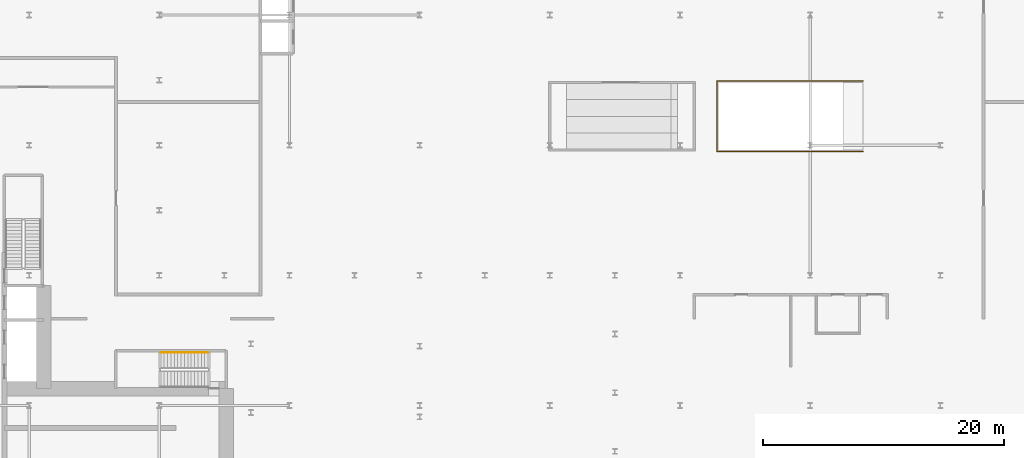
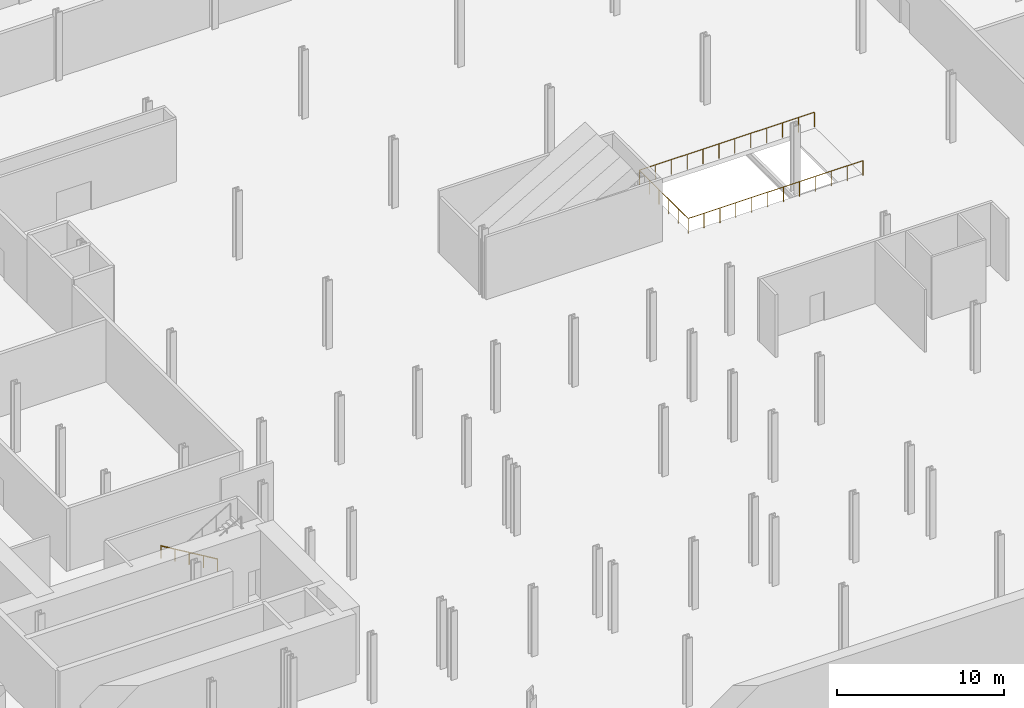
# One storey, part 18 of 19: 2 railings.
"""IFC4 building model written with IfcOpenShell, lengths in metres."""

from ifc_helpers import new_model, si_unit, direction, frame, origin, origin_2d, place, context, subcontext, project, spatial, circle, extrude, material, type_object, element, save


model = new_model("IFC4")

# Units and contexts
model_context = context("Model", 3, precision=1e-05, world=origin(), true_north=direction((0.0, 1.0)))
body_context = subcontext(model_context, "Body", "Model", "MODEL_VIEW")
ifc_project = project(units=[si_unit("LENGTHUNIT", "METRE"), si_unit("AREAUNIT", "SQUARE_METRE"), si_unit("VOLUMEUNIT", "CUBIC_METRE"), si_unit("PLANEANGLEUNIT", "RADIAN"), si_unit("MASSUNIT", "GRAM", prefix="KILO")], contexts=[model_context])

# Site, building, storey
site_placement = place(None, origin())
site = spatial("IfcSite", under=ifc_project, at=site_placement, CompositionType="ELEMENT")
building_placement = place(site_placement, origin())
building = spatial("IfcBuilding", under=site, at=building_placement, Name="Kheshtan School and Residences Tower", CompositionType="ELEMENT")
storey_placement = place(building_placement, frame((0.0, 0.0, -10.0)))
storey = spatial("IfcBuildingStorey", under=building, at=storey_placement, Name="B2", CompositionType="ELEMENT", Elevation=-10.0)

# Railings
ifc_material_1 = material(Name="Stainless steel balustrade", Category="steel")
railing_type_1 = type_object("IfcRailingType", Name="Stair guard 1100", PredefinedType="GUARDRAIL", material=ifc_material_1)
railing_1_placement = place(storey_placement, frame((106.0, 55.8798828125, 0.0)))
element("IfcRailing", 1, at=railing_1_placement, inside=storey, type_object=railing_type_1, Name="Guard B2 1", PredefinedType="GUARDRAIL", context=body_context, shape_type="SweptSolid", body=[
    extrude(circle(Radius=0.02392578125, at=origin_2d()), frame((0.0, 0.0, 1.076171875), z_axis=(-1.0, 0.0, 0.0), x_axis=(0.0, -1.0, 0.0)), (0.0, 0.0, 1.0), 12.1201171875),
    extrude(circle(Radius=0.02392578125, at=origin_2d()), frame((-12.1201171875, 0.0, 1.076171875), z_axis=(0.0, 1.0, 0.0), x_axis=(-1.0, 0.0, 0.0)), (0.0, 0.0, 1.0), 5.840087890625),
    extrude(circle(Radius=0.02392578125, at=origin_2d()), frame((-12.1201171875, 5.840087890625, 1.076171875), z_axis=(1.0, 0.0, 0.0), x_axis=(0.0, 1.0, 0.0)), (0.0, 0.0, 1.0), 12.1201171875),
    extrude(circle(Radius=0.02099609375, at=origin_2d()), origin(), (0.0, 0.0, 1.0), 1.052001953125),
    extrude(circle(Radius=0.02099609375, at=origin_2d()), frame((-1.101806640625, 0.0, 0.0)), (0.0, 0.0, 1.0), 1.052001953125),
    extrude(circle(Radius=0.02099609375, at=origin_2d()), frame((-2.20361328125, 0.0, 0.0)), (0.0, 0.0, 1.0), 1.052001953125),
    extrude(circle(Radius=0.02099609375, at=origin_2d()), frame((-3.305419921875, 0.0, 0.0)), (0.0, 0.0, 1.0), 1.052001953125),
    extrude(circle(Radius=0.02099609375, at=origin_2d()), frame((-4.4072265625, 0.0, 0.0)), (0.0, 0.0, 1.0), 1.052001953125),
    extrude(circle(Radius=0.02099609375, at=origin_2d()), frame((-5.509033203125, 0.0, 0.0)), (0.0, 0.0, 1.0), 1.052001953125),
    extrude(circle(Radius=0.02099609375, at=origin_2d()), frame((-6.611083984375, 0.0, 0.0)), (0.0, 0.0, 1.0), 1.052001953125),
    extrude(circle(Radius=0.02099609375, at=origin_2d()), frame((-7.712890625, 0.0, 0.0)), (0.0, 0.0, 1.0), 1.052001953125),
    extrude(circle(Radius=0.02099609375, at=origin_2d()), frame((-8.814697265625, 0.0, 0.0)), (0.0, 0.0, 1.0), 1.052001953125),
    extrude(circle(Radius=0.02099609375, at=origin_2d()), frame((-9.91650390625, 0.0, 0.0)), (0.0, 0.0, 1.0), 1.052001953125),
    extrude(circle(Radius=0.02099609375, at=origin_2d()), frame((-11.018310546875, 0.0, 0.0)), (0.0, 0.0, 1.0), 1.052001953125),
    extrude(circle(Radius=0.02099609375, at=origin_2d()), frame((-12.1201171875, 0.0, 0.0)), (0.0, 0.0, 1.0), 1.052001953125),
    extrude(circle(Radius=0.02099609375, at=origin_2d()), frame((-12.1201171875, 1.16796875, 0.0)), (0.0, 0.0, 1.0), 1.052001953125),
    extrude(circle(Radius=0.02099609375, at=origin_2d()), frame((-12.1201171875, 2.3359375, 0.0)), (0.0, 0.0, 1.0), 1.052001953125),
    extrude(circle(Radius=0.02099609375, at=origin_2d()), frame((-12.1201171875, 3.504150390625, 0.0)), (0.0, 0.0, 1.0), 1.052001953125),
    extrude(circle(Radius=0.02099609375, at=origin_2d()), frame((-12.1201171875, 4.672119140625, 0.0)), (0.0, 0.0, 1.0), 1.052001953125),
    extrude(circle(Radius=0.02099609375, at=origin_2d()), frame((-12.1201171875, 5.840087890625, 0.0)), (0.0, 0.0, 1.0), 1.052001953125),
    extrude(circle(Radius=0.02099609375, at=origin_2d()), frame((-11.018310546875, 5.840087890625, 0.0)), (0.0, 0.0, 1.0), 1.052001953125),
    extrude(circle(Radius=0.02099609375, at=origin_2d()), frame((-9.91650390625, 5.840087890625, 0.0)), (0.0, 0.0, 1.0), 1.052001953125),
    extrude(circle(Radius=0.02099609375, at=origin_2d()), frame((-8.814697265625, 5.840087890625, 0.0)), (0.0, 0.0, 1.0), 1.052001953125),
    extrude(circle(Radius=0.02099609375, at=origin_2d()), frame((-7.712890625, 5.840087890625, 0.0)), (0.0, 0.0, 1.0), 1.052001953125),
    extrude(circle(Radius=0.02099609375, at=origin_2d()), frame((-6.611083984375, 5.840087890625, 0.0)), (0.0, 0.0, 1.0), 1.052001953125),
    extrude(circle(Radius=0.02099609375, at=origin_2d()), frame((-5.509033203125, 5.840087890625, 0.0)), (0.0, 0.0, 1.0), 1.052001953125),
    extrude(circle(Radius=0.02099609375, at=origin_2d()), frame((-4.4072265625, 5.840087890625, 0.0)), (0.0, 0.0, 1.0), 1.052001953125),
    extrude(circle(Radius=0.02099609375, at=origin_2d()), frame((-3.305419921875, 5.840087890625, 0.0)), (0.0, 0.0, 1.0), 1.052001953125),
    extrude(circle(Radius=0.02099609375, at=origin_2d()), frame((-2.20361328125, 5.840087890625, 0.0)), (0.0, 0.0, 1.0), 1.052001953125),
    extrude(circle(Radius=0.02099609375, at=origin_2d()), frame((-1.101806640625, 5.840087890625, 0.0)), (0.0, 0.0, 1.0), 1.052001953125),
    extrude(circle(Radius=0.02099609375, at=origin_2d()), frame((0.0, 5.840087890625, 0.0)), (0.0, 0.0, 1.0), 1.052001953125),
])
ifc_material_2 = material(Name="Stainless steel handrail", Category="steel")
railing_type_2 = type_object("IfcRailingType", Name="Stair handrail 900", PredefinedType="HANDRAIL", material=ifc_material_2)
railing_2_placement = place(storey_placement, frame((51.64990234375, 39.199951171875, 0.166748046875)))
element("IfcRailing", 2, at=railing_2_placement, inside=storey, type_object=railing_type_2, Name="B2 ST1 stair handrail 1", PredefinedType="HANDRAIL", context=body_context, shape_type="SweptSolid", body=[
    extrude(circle(Radius=0.02392578125, at=origin_2d()), frame((0.0, 0.0, 0.8759765625), z_axis=(-0.859296244711, 0.0, 0.511478214419), x_axis=(0.0, -1.0, 0.0)), (0.0, 0.0, 1.0), 4.561767578125),
    extrude(circle(Radius=0.02099609375, at=origin_2d()), origin(), (0.0, 0.0, 1.0), 0.851806640625),
    extrude(circle(Radius=0.02099609375, at=origin_2d()), frame((-0.97998046875, 0.0, 0.583251953125)), (0.0, 0.0, 1.0), 0.851806640625),
    extrude(circle(Radius=0.02099609375, at=origin_2d()), frame((-1.9599609375, 0.0, 1.16650390625)), (0.0, 0.0, 1.0), 0.851806640625),
    extrude(circle(Radius=0.02099609375, at=origin_2d()), frame((-2.93994140625, 0.0, 1.75)), (0.0, 0.0, 1.0), 0.851806640625),
    extrude(circle(Radius=0.02099609375, at=origin_2d()), frame((-3.919921875, 0.0, 2.333251953125)), (0.0, 0.0, 1.0), 0.851806640625),
])

save(model, "model.ifc")
